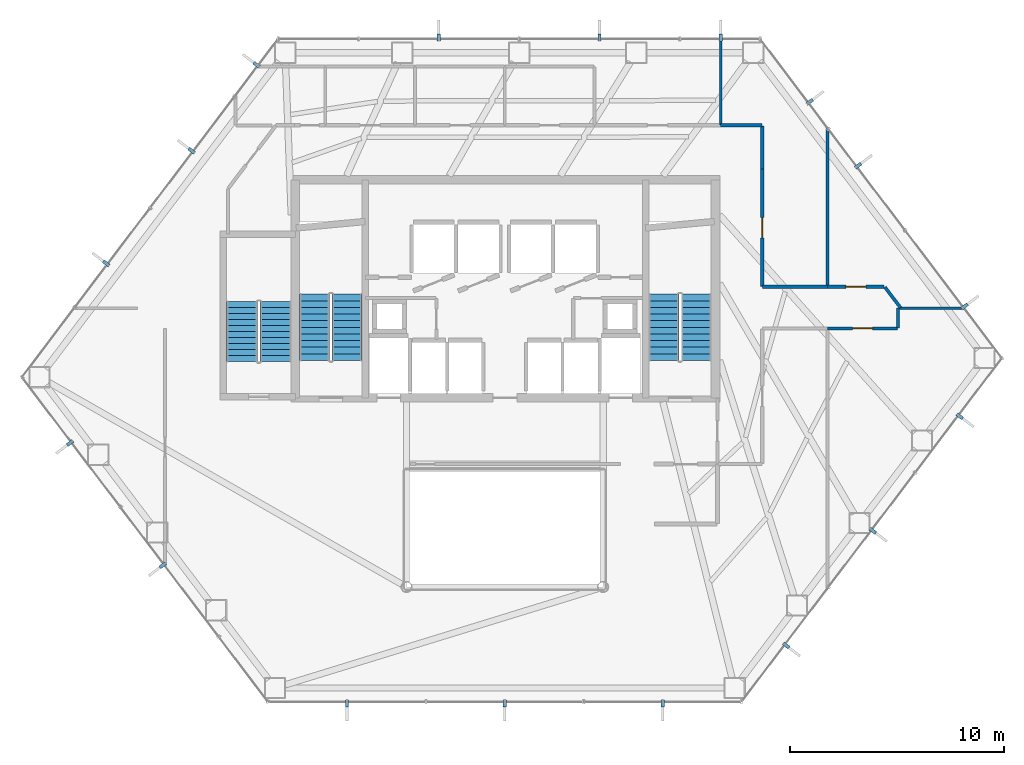
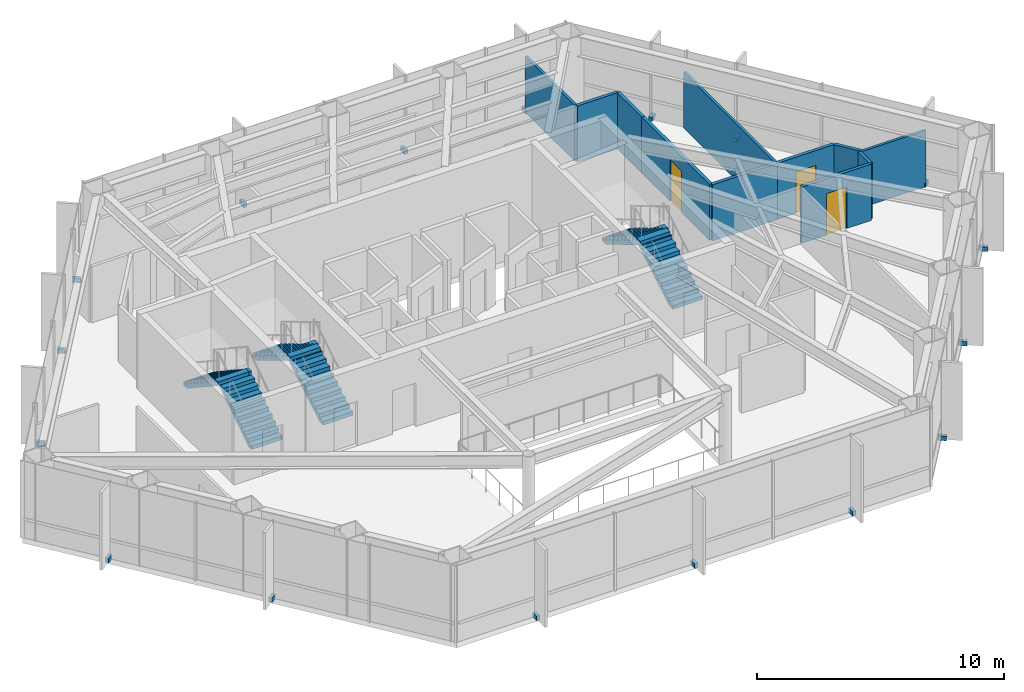
# One storey, part 24 of 25: 17 discrete accessories, 11 walls, 6 stair flights, 3 doors, 3 openings, 3 elements without a shape of their own.
"""IFC4 building model written with IfcOpenShell, lengths in metres."""

from ifc_helpers import new_model, si_unit, direction, frame, frame_2d, origin, origin_2d, place, context, subcontext, project, spatial, polyline, rectangle, outline, extrude, material, layer, layer_set, type_object, element, fill, aggregate, save


model = new_model("IFC4")

# Units and contexts
model_context = context("Model", 3, precision=1e-05, world=origin(), true_north=direction((0.0, 1.0)))
body_context = subcontext(model_context, "Body", "Model", "MODEL_VIEW")
ifc_project = project(units=[si_unit("LENGTHUNIT", "METRE"), si_unit("AREAUNIT", "SQUARE_METRE"), si_unit("VOLUMEUNIT", "CUBIC_METRE"), si_unit("PLANEANGLEUNIT", "RADIAN"), si_unit("MASSUNIT", "GRAM", prefix="KILO")], contexts=[model_context])

# Site, building, storey
site_placement = place(None, origin())
site = spatial("IfcSite", under=ifc_project, at=site_placement, CompositionType="ELEMENT")
building_placement = place(site_placement, origin())
building = spatial("IfcBuilding", under=site, at=building_placement, Name="Zarrinselat Tower", CompositionType="ELEMENT")
storey_placement = place(building_placement, frame((0.0, 0.0, 43.860107421875)))
storey = spatial("IfcBuildingStorey", under=building, at=storey_placement, Name="L10", CompositionType="ELEMENT", Elevation=43.860107421875)

# Wall
ifc_material_1 = material(Name="Fire-Rated Gypsum Board Partition", Category="gypsum")
ifc_layer_1 = layer(ifc_material_1, 0.14990234375)
ifc_layer_set_1 = layer_set([ifc_layer_1], Name="Fire-Rated Gypsum Board Partition")
wall_type_1 = type_object("IfcWallType", Name="WAL-PART-EI60", PredefinedType="PARTITIONING", material=ifc_layer_set_1)
wall_1_placement = place(storey_placement, frame((56.800048828125, 36.52001953125, 0.0), z_axis=(0.0, 0.0, 1.0), x_axis=(0.0, 1.0, 0.0)))
element("IfcWall", 1, at=wall_1_placement, inside=storey, type_object=wall_type_1, Name="L10 Partition Wall 20", PredefinedType="PARTITIONING", context=body_context, shape_type="SweptSolid", body=[
    extrude(rectangle(XDim=0.925048828125, YDim=0.14990234375, at=frame_2d((0.46240234375, 0.0))), origin(), (0.0, 0.0, 1.0), 2.77685546875),
])

# Wall, opening, door
wall_2_placement = place(storey_placement, frame((53.5048828125, 36.5, 0.0), z_axis=(0.0, 0.0, 1.0), x_axis=(1.0, 0.0, 0.0)))
wall_2 = element("IfcWall", 2, at=wall_2_placement, inside=storey, type_object=wall_type_1, Name="L10 Partition Wall 21", PredefinedType="PARTITIONING", context=body_context, shape_type="SweptSolid", body=[
    extrude(rectangle(XDim=3.275146484375, YDim=0.14990234375, at=frame_2d((1.6376953125, 0.0))), origin(), (0.0, 0.0, 1.0), 2.77685546875),
])
opening_1_placement = place(wall_2_placement, frame((1.16748046875, 0.0, 0.0)))
opening_1 = element("IfcOpeningElement", 3, at=opening_1_placement, cuts=wall_2, Name="Opening ID-04", PredefinedType="OPENING", context=body_context, shape_type="SweptSolid", body=[
    extrude(rectangle(XDim=0.93994140625, YDim=2.050048828125, at=frame_2d((0.469970703125, 1.02490234375))), frame((0.0, 0.0849609375, 0.0), z_axis=(0.0, -1.0, 0.0), x_axis=(1.0, 0.0, 0.0)), (0.0, 0.0, 1.0), 0.169921875),
])
ifc_material_2 = material(Name="Fire-Rated Gypsum Board Partition")
door_type = type_object("IfcDoorType", Name="DR-INT-FD30-ENT", OperationType="NOTDEFINED", PredefinedType="DOOR", material=ifc_material_2)
door_1_placement = place(opening_1_placement, origin())
door_1 = element("IfcDoor", 4, at=door_1_placement, inside=storey, type_object=door_type, Name="L10 Interior Door P21", OperationType="SINGLE_SWING_LEFT", OverallHeight=2.050048828125, OverallWidth=0.93994140625, PredefinedType="DOOR", context=body_context, shape_type="SweptSolid", body=[
    extrude(rectangle(XDim=0.93994140625, YDim=2.050048828125, at=frame_2d((0.469970703125, 1.02490234375))), frame((0.0, 0.02490234375, 0.0), z_axis=(0.0, -1.0, 0.0), x_axis=(1.0, 0.0, 0.0)), (0.0, 0.0, 1.0), 0.050048828125),
])
fill(opening_1, door_1)

wall_3_placement = place(storey_placement, frame((53.5048828125, 38.449951171875, 0.0), z_axis=(0.0, 0.0, 1.0), x_axis=(1.0, 0.0, 0.0)))
wall_3 = element("IfcWall", 5, at=wall_3_placement, inside=storey, type_object=wall_type_1, Name="L10 Partition Wall 22", PredefinedType="PARTITIONING", context=body_context, shape_type="SweptSolid", body=[
    extrude(rectangle(XDim=2.6474609375, YDim=0.14990234375, at=frame_2d((1.32373046875, 0.0))), origin(), (0.0, 0.0, 1.0), 2.77685546875),
])
opening_2_placement = place(wall_3_placement, frame((0.853515625, 0.0, 0.0)))
opening_2 = element("IfcOpeningElement", 6, at=opening_2_placement, cuts=wall_3, Name="Opening ID-04", PredefinedType="OPENING", context=body_context, shape_type="SweptSolid", body=[
    extrude(rectangle(XDim=0.93994140625, YDim=2.050048828125, at=frame_2d((0.469970703125, 1.02490234375))), frame((0.0, 0.0849609375, 0.0), z_axis=(0.0, -1.0, 0.0), x_axis=(1.0, 0.0, 0.0)), (0.0, 0.0, 1.0), 0.169921875),
])
door_2_placement = place(opening_2_placement, origin())
door_2 = element("IfcDoor", 7, at=door_2_placement, inside=storey, type_object=door_type, Name="L10 Interior Door P22", OperationType="SINGLE_SWING_RIGHT", OverallHeight=2.050048828125, OverallWidth=0.93994140625, PredefinedType="DOOR", context=body_context, shape_type="SweptSolid", body=[
    extrude(rectangle(XDim=0.93994140625, YDim=2.050048828125, at=frame_2d((0.469970703125, 1.02490234375))), frame((0.0, 0.02490234375, 0.0), z_axis=(0.0, -1.0, 0.0), x_axis=(1.0, 0.0, 0.0)), (0.0, 0.0, 1.0), 0.050048828125),
])
fill(opening_2, door_2)

# Walls
wall_4_placement = place(storey_placement, frame((56.184326171875, 38.43408203125, 0.0), z_axis=(0.0, 0.0, 1.0), x_axis=(0.603900079305, -0.797060031751, 0.0)))
element("IfcWall", 8, at=wall_4_placement, inside=storey, type_object=wall_type_1, Name="L10 Partition Wall 23", PredefinedType="PARTITIONING", context=body_context, shape_type="SweptSolid", body=[
    extrude(rectangle(XDim=1.2197265625, YDim=0.14990234375, at=frame_2d((0.60986328125, 0.0))), origin(), (0.0, 0.0, 1.0), 2.77685546875),
])
wall_5_placement = place(storey_placement, frame((48.5048828125, 46.0, 0.0), z_axis=(0.0, 0.0, 1.0), x_axis=(1.0, 0.0, 0.0)))
element("IfcWall", 9, at=wall_5_placement, inside=storey, type_object=wall_type_1, Name="L10 Partition Wall 26", PredefinedType="PARTITIONING", context=body_context, shape_type="SweptSolid", body=[
    extrude(rectangle(XDim=1.925048828125, YDim=0.14990234375, at=frame_2d((0.96240234375, 0.0))), origin(), (0.0, 0.0, 1.0), 2.77685546875),
])
wall_6_placement = place(storey_placement, frame((50.449951171875, 43.949951171875, 0.0), z_axis=(0.0, 0.0, 1.0), x_axis=(0.0, 1.0, 0.0)))
element("IfcWall", 10, at=wall_6_placement, inside=storey, type_object=wall_type_1, Name="L10 Partition Wall 27", PredefinedType="PARTITIONING", context=body_context, shape_type="SweptSolid", body=[
    extrude(rectangle(XDim=2.030029296875, YDim=0.14990234375, at=frame_2d((1.01513671875, 0.0))), origin(), (0.0, 0.0, 1.0), 2.77685546875),
])

# Wall, opening, door
wall_7_placement = place(storey_placement, frame((50.449951171875, 38.469970703125, 0.0), z_axis=(0.0, 0.0, 1.0), x_axis=(0.0, 1.0, 0.0)))
wall_7 = element("IfcWall", 11, at=wall_7_placement, inside=storey, type_object=wall_type_1, Name="L10 Partition Wall 28", PredefinedType="PARTITIONING", context=body_context, shape_type="SweptSolid", body=[
    extrude(rectangle(XDim=5.47998046875, YDim=0.14990234375, at=frame_2d((2.739990234375, 0.0))), origin(), (0.0, 0.0, 1.0), 2.77685546875),
])
opening_3_placement = place(wall_7_placement, frame((2.27001953125, 0.0, 0.0)))
opening_3 = element("IfcOpeningElement", 12, at=opening_3_placement, cuts=wall_7, Name="Opening ID-04", PredefinedType="OPENING", context=body_context, shape_type="SweptSolid", body=[
    extrude(rectangle(XDim=0.93994140625, YDim=2.050048828125, at=frame_2d((0.469970703125, 1.02490234375))), frame((0.0, 0.0849609375, 0.0), z_axis=(0.0, -1.0, 0.0), x_axis=(1.0, 0.0, 0.0)), (0.0, 0.0, 1.0), 0.169921875),
])
door_3_placement = place(opening_3_placement, origin())
door_3 = element("IfcDoor", 13, at=door_3_placement, inside=storey, type_object=door_type, Name="L10 Interior Door P28", OperationType="SINGLE_SWING_RIGHT", OverallHeight=2.050048828125, OverallWidth=0.93994140625, PredefinedType="DOOR", context=body_context, shape_type="SweptSolid", body=[
    extrude(rectangle(XDim=0.93994140625, YDim=2.050048828125, at=frame_2d((0.469970703125, 1.02490234375))), frame((0.0, 0.02490234375, 0.0), z_axis=(0.0, -1.0, 0.0), x_axis=(1.0, 0.0, 0.0)), (0.0, 0.0, 1.0), 0.050048828125),
])
fill(opening_3, door_3)

# Walls
wall_8_placement = place(storey_placement, frame((50.469970703125, 38.449951171875, 0.0), z_axis=(0.0, 0.0, 1.0), x_axis=(1.0, 0.0, 0.0)))
element("IfcWall", 14, at=wall_8_placement, inside=storey, type_object=wall_type_1, Name="L10 Partition Wall 29", PredefinedType="PARTITIONING", context=body_context, shape_type="SweptSolid", body=[
    extrude(rectangle(XDim=3.025146484375, YDim=0.14990234375, at=frame_2d((1.5126953125, 0.0))), origin(), (0.0, 0.0, 1.0), 2.77685546875),
])
ifc_material_3 = material(Name="Fire-Rated Gypsum Board Partition", Category="gypsum")
ifc_layer_2 = layer(ifc_material_3, 0.1201171875)
ifc_layer_set_2 = layer_set([ifc_layer_2], Name="Fire-Rated Gypsum Board Partition")
wall_type_2 = type_object("IfcWallType", Name="WAL-PART-STD", PredefinedType="PARTITIONING", material=ifc_layer_set_2)
wall_9_placement = place(storey_placement, frame((56.820068359375, 37.449951171875, 0.0), z_axis=(0.0, 0.0, 1.0), x_axis=(1.0, 0.0, 0.0)))
element("IfcWall", 15, at=wall_9_placement, inside=storey, type_object=wall_type_2, Name="L10 Partition Wall 43", PredefinedType="PARTITIONING", context=body_context, shape_type="SweptSolid", body=[
    extrude(rectangle(XDim=3.055419921875, YDim=0.1201171875, at=frame_2d((1.52783203125, 0.0))), origin(), (0.0, 0.0, 1.0), 2.77685546875),
])
wall_10_placement = place(storey_placement, frame((53.5, 38.469970703125, 0.0), z_axis=(0.0, 0.0, 1.0), x_axis=(0.0, 1.0, 0.0)))
element("IfcWall", 16, at=wall_10_placement, inside=storey, type_object=wall_type_2, Name="L10 Partition Wall 45", PredefinedType="PARTITIONING", context=body_context, shape_type="SweptSolid", body=[
    extrude(rectangle(XDim=7.400634765625, YDim=0.1201171875, at=frame_2d((3.7001953125, 0.0))), origin(), (0.0, 0.0, 1.0), 2.77685546875),
])
wall_11_placement = place(storey_placement, frame((48.5, 46.02001953125, 0.0), z_axis=(0.0, 0.0, 1.0), x_axis=(0.0, 1.0, 0.0)))
element("IfcWall", 17, at=wall_11_placement, inside=storey, type_object=wall_type_2, Name="L10 Partition Wall 46", PredefinedType="PARTITIONING", context=body_context, shape_type="SweptSolid", body=[
    extrude(rectangle(XDim=4.00927734375, YDim=0.1201171875, at=frame_2d((2.004638671875, 0.0))), origin(), (0.0, 0.0, 1.0), 2.77685546875),
])

# Stair, stair flights
ifc_material_4 = material(Name="Concrete C40/50", Category="concrete")
stair_type_1 = type_object("IfcStairType", Name="STR-CORE-145", PredefinedType="HALF_TURN_STAIR", material=ifc_material_4)
stair_1_placement = place(storey_placement, origin())
stair_1 = element("IfcStair", 18, at=stair_1_placement, inside=storey, type_object=stair_type_1, Name="L10 Podium & Mid-Tower Exit Stair 3", PredefinedType="HALF_TURN_STAIR")
ifc_material_5 = material(Name="Concrete C40/50", Category="concrete")
stair_flight_type_1 = type_object("IfcStairFlightType", Name="STR-FLT-145", PredefinedType="STRAIGHT", material=ifc_material_5)
stair_flight_1_placement = place(storey_placement, frame((27.675048828125, 34.949951171875, 0.0), z_axis=(0.0, 0.0, 1.0), x_axis=(0.0, 1.0, 0.0)))
stair_flight_1 = element("IfcStairFlight", 19, at=stair_flight_1_placement, type_object=stair_flight_type_1, Name="ST-3 flight 1", NumberOfRisers=11, NumberOfTreads=10, PredefinedType="STRAIGHT", RiserHeight=0.185454545, TreadLength=0.28, context=body_context, shape_type="SweptSolid", body=[
    extrude(outline(polyline([(0.0, 0.0), (0.0, 0.185546875), (0.280029296875, 0.185546875), (0.280029296875, 0.370849609375), (0.56005859375, 0.370849609375), (0.56005859375, 0.556396484375), (0.840087890625, 0.556396484375), (0.840087890625, 0.74169921875), (1.1201171875, 0.74169921875), (1.1201171875, 0.92724609375), (1.39990234375, 0.92724609375), (1.39990234375, 1.11279296875), (1.679931640625, 1.11279296875), (1.679931640625, 1.298095703125), (1.9599609375, 1.298095703125), (1.9599609375, 1.483642578125), (2.239990234375, 1.483642578125), (2.239990234375, 1.669189453125), (2.52001953125, 1.669189453125), (2.52001953125, 1.8544921875), (2.800048828125, 1.8544921875), (2.800048828125, 2.0400390625), (2.800048828125, 1.6748046875), (0.271484375, 0.0), (0.0, 0.0)])), frame((0.0, 0.72509765625, 0.0), z_axis=(0.0, -1.0, 0.0), x_axis=(1.0, 0.0, 0.0)), (0.0, 0.0, 1.0), 1.449951171875),
])
stair_flight_2_placement = place(storey_placement, frame((26.10498046875, 37.75, 2.039794921875), z_axis=(0.0, 0.0, 1.0), x_axis=(0.0, -1.0, 0.0)))
stair_flight_2 = element("IfcStairFlight", 20, at=stair_flight_2_placement, type_object=stair_flight_type_1, Name="ST-3 flight 2", NumberOfRisers=11, NumberOfTreads=10, PredefinedType="STRAIGHT", RiserHeight=0.185454545, TreadLength=0.28, context=body_context, shape_type="SweptSolid", body=[
    extrude(outline(polyline([(0.0, 0.0), (0.0, 0.185546875), (0.280029296875, 0.185546875), (0.280029296875, 0.370849609375), (0.56005859375, 0.370849609375), (0.56005859375, 0.556396484375), (0.840087890625, 0.556396484375), (0.840087890625, 0.74169921875), (1.1201171875, 0.74169921875), (1.1201171875, 0.92724609375), (1.39990234375, 0.92724609375), (1.39990234375, 1.11279296875), (1.679931640625, 1.11279296875), (1.679931640625, 1.298095703125), (1.9599609375, 1.298095703125), (1.9599609375, 1.483642578125), (2.239990234375, 1.483642578125), (2.239990234375, 1.669189453125), (2.52001953125, 1.669189453125), (2.52001953125, 1.8544921875), (2.800048828125, 1.8544921875), (2.800048828125, 2.0400390625), (2.800048828125, 1.6748046875), (0.271484375, 0.0), (0.0, 0.0)])), frame((0.0, 0.72509765625, 0.0), z_axis=(0.0, -1.0, 0.0), x_axis=(1.0, 0.0, 0.0)), (0.0, 0.0, 1.0), 1.449951171875),
])
aggregate(stair_1, [stair_flight_1, stair_flight_2])

ifc_material_6 = material(Name="Concrete C40/50", Category="concrete")
stair_type_2 = type_object("IfcStairType", Name="STR-CORE-155", PredefinedType="HALF_TURN_STAIR", material=ifc_material_6)
stair_2_placement = place(storey_placement, origin())
stair_2 = element("IfcStair", 21, at=stair_2_placement, inside=storey, type_object=stair_type_2, Name="L10 Core Exit Stair 1", PredefinedType="HALF_TURN_STAIR")
ifc_material_7 = material(Name="Concrete C40/50", Category="concrete")
stair_flight_type_2 = type_object("IfcStairFlightType", Name="STR-FLT-155", PredefinedType="STRAIGHT", material=ifc_material_7)
stair_flight_3_placement = place(storey_placement, frame((31.02001953125, 35.0, 0.0), z_axis=(0.0, 0.0, 1.0), x_axis=(0.0, 1.0, 0.0)))
stair_flight_3 = element("IfcStairFlight", 22, at=stair_flight_3_placement, type_object=stair_flight_type_2, Name="ST-1 flight 1", NumberOfRisers=11, NumberOfTreads=10, PredefinedType="STRAIGHT", RiserHeight=0.185454545, TreadLength=0.31, context=body_context, shape_type="SweptSolid", body=[
    extrude(outline(polyline([(0.0, 0.0), (0.0, 0.185546875), (0.31005859375, 0.185546875), (0.31005859375, 0.370849609375), (0.6201171875, 0.370849609375), (0.6201171875, 0.556396484375), (0.929931640625, 0.556396484375), (0.929931640625, 0.74169921875), (1.239990234375, 0.74169921875), (1.239990234375, 0.92724609375), (1.550048828125, 0.92724609375), (1.550048828125, 1.11279296875), (1.860107421875, 1.11279296875), (1.860107421875, 1.298095703125), (2.169921875, 1.298095703125), (2.169921875, 1.483642578125), (2.47998046875, 1.483642578125), (2.47998046875, 1.669189453125), (2.7900390625, 1.669189453125), (2.7900390625, 1.8544921875), (3.10009765625, 1.8544921875), (3.10009765625, 2.0400390625), (3.10009765625, 1.679931640625), (0.2919921875, 0.0), (0.0, 0.0)])), frame((0.0, 0.699951171875, 0.0), z_axis=(0.0, -1.0, 0.0), x_axis=(1.0, 0.0, 0.0)), (0.0, 0.0, 1.0), 1.39990234375),
])
stair_flight_4_placement = place(storey_placement, frame((29.5, 38.10009765625, 2.039794921875), z_axis=(0.0, 0.0, 1.0), x_axis=(0.0, -1.0, 0.0)))
stair_flight_4 = element("IfcStairFlight", 23, at=stair_flight_4_placement, type_object=stair_flight_type_2, Name="ST-1 flight 2", NumberOfRisers=11, NumberOfTreads=10, PredefinedType="STRAIGHT", RiserHeight=0.185454545, TreadLength=0.31, context=body_context, shape_type="SweptSolid", body=[
    extrude(outline(polyline([(0.0, 0.0), (0.0, 0.185546875), (0.31005859375, 0.185546875), (0.31005859375, 0.370849609375), (0.6201171875, 0.370849609375), (0.6201171875, 0.556396484375), (0.929931640625, 0.556396484375), (0.929931640625, 0.74169921875), (1.239990234375, 0.74169921875), (1.239990234375, 0.92724609375), (1.550048828125, 0.92724609375), (1.550048828125, 1.11279296875), (1.860107421875, 1.11279296875), (1.860107421875, 1.298095703125), (2.169921875, 1.298095703125), (2.169921875, 1.483642578125), (2.47998046875, 1.483642578125), (2.47998046875, 1.669189453125), (2.7900390625, 1.669189453125), (2.7900390625, 1.8544921875), (3.10009765625, 1.8544921875), (3.10009765625, 2.0400390625), (3.10009765625, 1.679931640625), (0.2919921875, 0.0), (0.0, 0.0)])), frame((0.0, 0.699951171875, 0.0), z_axis=(0.0, -1.0, 0.0), x_axis=(1.0, 0.0, 0.0)), (0.0, 0.0, 1.0), 1.39990234375),
])
aggregate(stair_2, [stair_flight_3, stair_flight_4])

stair_3_placement = place(storey_placement, origin())
stair_3 = element("IfcStair", 24, at=stair_3_placement, inside=storey, type_object=stair_type_2, Name="L10 Core Exit Stair 2", PredefinedType="HALF_TURN_STAIR")
stair_flight_5_placement = place(storey_placement, frame((47.360107421875, 35.0, 0.0), z_axis=(0.0, 0.0, 1.0), x_axis=(0.0, 1.0, 0.0)))
stair_flight_5 = element("IfcStairFlight", 25, at=stair_flight_5_placement, type_object=stair_flight_type_2, Name="ST-2 flight 1", NumberOfRisers=11, NumberOfTreads=10, PredefinedType="STRAIGHT", RiserHeight=0.185454545, TreadLength=0.31, context=body_context, shape_type="SweptSolid", body=[
    extrude(outline(polyline([(0.0, 0.0), (0.0, 0.185546875), (0.31005859375, 0.185546875), (0.31005859375, 0.370849609375), (0.6201171875, 0.370849609375), (0.6201171875, 0.556396484375), (0.929931640625, 0.556396484375), (0.929931640625, 0.74169921875), (1.239990234375, 0.74169921875), (1.239990234375, 0.92724609375), (1.550048828125, 0.92724609375), (1.550048828125, 1.11279296875), (1.860107421875, 1.11279296875), (1.860107421875, 1.298095703125), (2.169921875, 1.298095703125), (2.169921875, 1.483642578125), (2.47998046875, 1.483642578125), (2.47998046875, 1.669189453125), (2.7900390625, 1.669189453125), (2.7900390625, 1.8544921875), (3.10009765625, 1.8544921875), (3.10009765625, 2.0400390625), (3.10009765625, 1.679931640625), (0.2919921875, 0.0), (0.0, 0.0)])), frame((0.0, 0.699951171875, 0.0), z_axis=(0.0, -1.0, 0.0), x_axis=(1.0, 0.0, 0.0)), (0.0, 0.0, 1.0), 1.39990234375),
])
stair_flight_6_placement = place(storey_placement, frame((45.840087890625, 38.10009765625, 2.039794921875), z_axis=(0.0, 0.0, 1.0), x_axis=(0.0, -1.0, 0.0)))
stair_flight_6 = element("IfcStairFlight", 26, at=stair_flight_6_placement, type_object=stair_flight_type_2, Name="ST-2 flight 2", NumberOfRisers=11, NumberOfTreads=10, PredefinedType="STRAIGHT", RiserHeight=0.185454545, TreadLength=0.31, context=body_context, shape_type="SweptSolid", body=[
    extrude(outline(polyline([(0.0, 0.0), (0.0, 0.185546875), (0.31005859375, 0.185546875), (0.31005859375, 0.370849609375), (0.6201171875, 0.370849609375), (0.6201171875, 0.556396484375), (0.929931640625, 0.556396484375), (0.929931640625, 0.74169921875), (1.239990234375, 0.74169921875), (1.239990234375, 0.92724609375), (1.550048828125, 0.92724609375), (1.550048828125, 1.11279296875), (1.860107421875, 1.11279296875), (1.860107421875, 1.298095703125), (2.169921875, 1.298095703125), (2.169921875, 1.483642578125), (2.47998046875, 1.483642578125), (2.47998046875, 1.669189453125), (2.7900390625, 1.669189453125), (2.7900390625, 1.8544921875), (3.10009765625, 1.8544921875), (3.10009765625, 2.0400390625), (3.10009765625, 1.679931640625), (0.2919921875, 0.0), (0.0, 0.0)])), frame((0.0, 0.699951171875, 0.0), z_axis=(0.0, -1.0, 0.0), x_axis=(1.0, 0.0, 0.0)), (0.0, 0.0, 1.0), 1.39990234375),
])
aggregate(stair_3, [stair_flight_5, stair_flight_6])

# Discrete accessories
ifc_material_8 = material(Name="Steel S355J2", Category="steel")
discrete_accessory_type = type_object("IfcDiscreteAccessoryType", Name="ACC-FIN-BRACKET", PredefinedType="BRACKET", material=ifc_material_8)
for number, where, z_axis, x_axis, name in (
    (27, (48.5, 50.114501953125, -0.05029296875), (0.0, 0.0, 1.0), (0.0, 1.0, 0.0), "L10 Fin Fixing Bracket CW-L10-E01-01"),
    (28, (42.83251953125, 50.114501953125, -0.05029296875), (0.0, 0.0, 1.0), (0.0, 1.0, 0.0), "L10 Fin Fixing Bracket CW-L10-E01-03"),
    (29, (35.31591796875, 50.114501953125, -0.05029296875), (0.0, 0.0, 1.0), (0.0, 1.0, 0.0), "L10 Fin Fixing Bracket CW-L10-E01-05"),
    (30, (26.790283203125, 48.82861328125, -0.05029296875), (0.0, 0.0, 1.0), (-0.797092735952, 0.603856912101, 0.0), "L10 Fin Fixing Bracket CW-L10-E02-01"),
    (31, (23.74755859375, 44.812255859375, -0.05029296875), (0.0, 0.0, 1.0), (-0.797092735952, 0.603856912101, 0.0), "L10 Fin Fixing Bracket CW-L10-E02-03"),
    (32, (19.751708984375, 39.537841796875, -0.05029296875), (0.0, 0.0, 1.0), (-0.797092735952, 0.603856912101, 0.0), "L10 Fin Fixing Bracket CW-L10-E02-05"),
    (33, (18.05859375, 31.13916015625, -0.05029296875), (0.0, 0.0, 1.0), (-0.797092454142, -0.603857284091, 0.0), "L10 Fin Fixing Bracket CW-L10-E03-01"),
    (34, (22.396484375, 25.413330078125, -0.05029296875), (0.0, 0.0, 1.0), (-0.797092454142, -0.603857284091, 0.0), "L10 Fin Fixing Bracket CW-L10-E03-03"),
    (35, (31.016845703125, 18.952880859375, -0.05029296875), (0.0, 0.0, 1.0), (0.0, -1.0, 0.0), "L10 Fin Fixing Bracket CW-L10-E04-01"),
    (36, (38.39990234375, 18.952880859375, -0.05029296875), (0.0, 0.0, 1.0), (0.0, -1.0, 0.0), "L10 Fin Fixing Bracket CW-L10-E04-03"),
    (37, (45.783203125, 18.952880859375, -0.05029296875), (0.0, 0.0, 1.0), (0.0, -1.0, 0.0), "L10 Fin Fixing Bracket CW-L10-E04-05"),
    (38, (51.561767578125, 21.661865234375, -0.05029296875), (0.0, 0.0, 1.0), (0.797091064164, -0.603859118859, 0.0), "L10 Fin Fixing Bracket CW-L10-E05-01"),
    (39, (55.62451171875, 27.024658203125, -0.05029296875), (0.0, 0.0, 1.0), (0.797091064164, -0.603859118859, 0.0), "L10 Fin Fixing Bracket CW-L10-E05-03"),
    (40, (59.68701171875, 32.38720703125, -0.05029296875), (0.0, 0.0, 1.0), (0.797091064164, -0.603859118859, 0.0), "L10 Fin Fixing Bracket CW-L10-E05-05"),
    (41, (59.9189453125, 37.528564453125, -0.05029296875), (0.0, 0.0, 1.0), (0.797091681031, 0.603858304597, 0.0), "L10 Fin Fixing Bracket CW-L10-E06-01"),
    (42, (54.930419921875, 44.11328125, -0.05029296875), (0.0, 0.0, 1.0), (0.797091681031, 0.603858304597, 0.0), "L10 Fin Fixing Bracket CW-L10-E06-03"),
    (43, (52.667724609375, 47.10009765625, -0.05029296875), (0.0, 0.0, 1.0), (0.797091681031, 0.603858304597, 0.0), "L10 Fin Fixing Bracket CW-L10-E06-05"),
):
    element("IfcDiscreteAccessory", number, at=place(storey_placement, frame(where, z_axis=z_axis, x_axis=x_axis)), inside=storey, type_object=discrete_accessory_type, Name=name, PredefinedType="BRACKET", context=body_context, shape_type="SweptSolid", body=[
        extrude(rectangle(XDim=0.340087890625, YDim=0.159912109375, at=origin_2d()), origin(), (0.0, 0.0, 1.0), 0.219970703125),
    ])

save(model, "model.ifc")
